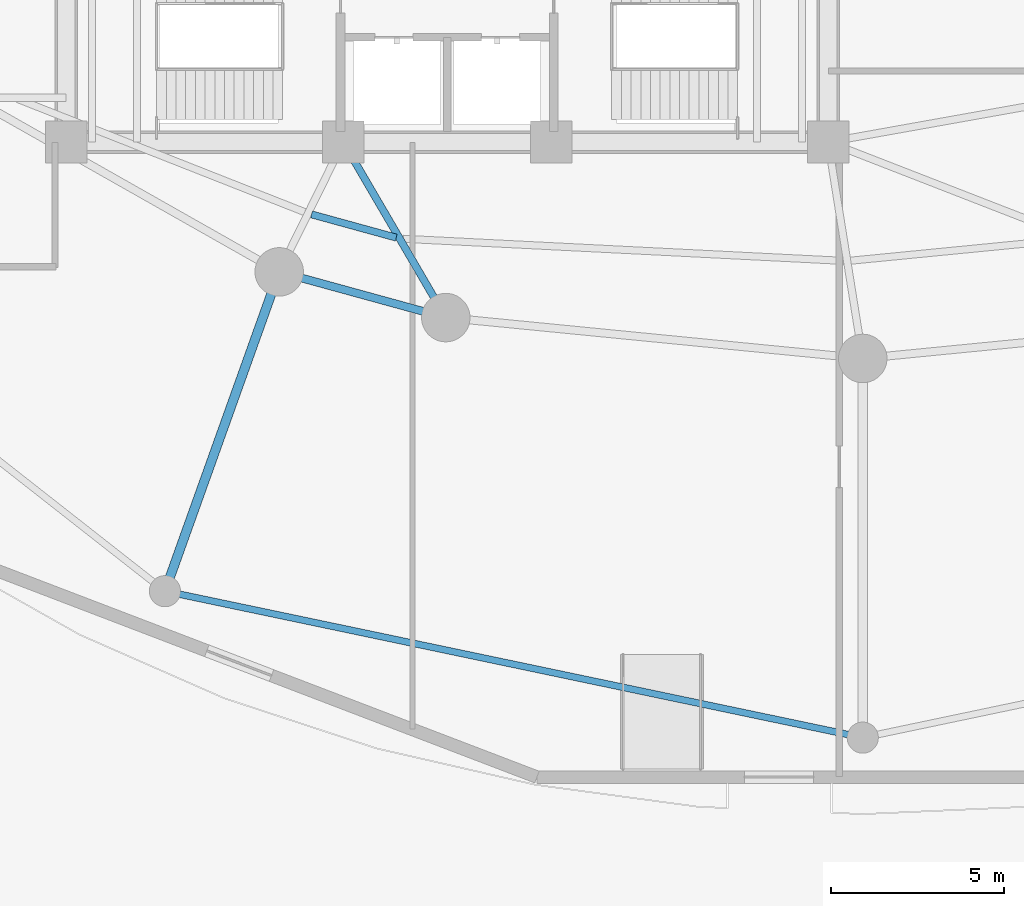
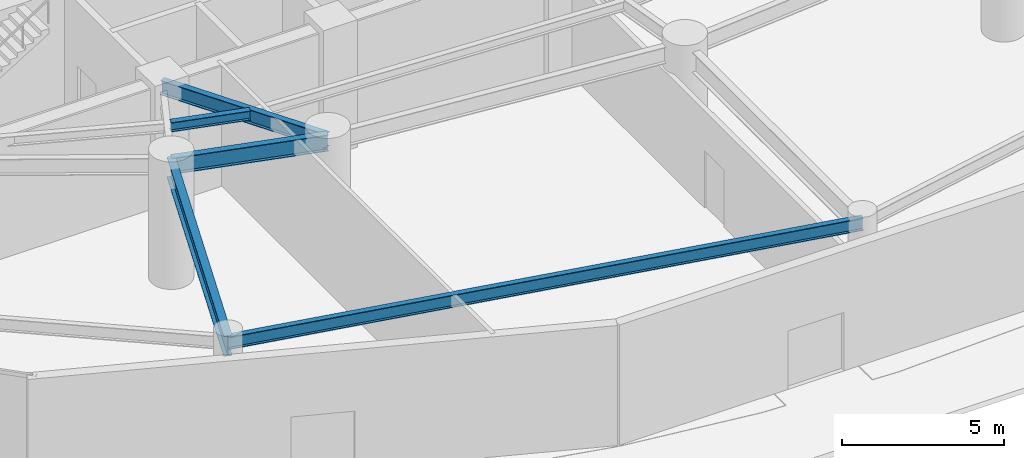
# One storey, part 3 of 35: 5 beams.
"""IFC4 building model written with IfcOpenShell, lengths in metres."""

from ifc_helpers import new_model, si_unit, direction, frame, origin, origin_2d, place, context, subcontext, project, spatial, i_section, extrude, material, material_profile, profile_set, type_object, element, save


model = new_model("IFC4")

# Units and contexts
model_context = context("Model", 3, precision=1e-05, world=origin(), true_north=direction((0.0, 1.0)))
body_context = subcontext(model_context, "Body", "Model", "MODEL_VIEW")
ifc_project = project(units=[si_unit("LENGTHUNIT", "METRE"), si_unit("AREAUNIT", "SQUARE_METRE"), si_unit("VOLUMEUNIT", "CUBIC_METRE"), si_unit("PLANEANGLEUNIT", "RADIAN"), si_unit("MASSUNIT", "GRAM", prefix="KILO")], contexts=[model_context])

# Site, building, storey
site_placement = place(None, origin())
site = spatial("IfcSite", under=ifc_project, at=site_placement, CompositionType="ELEMENT")
building_placement = place(site_placement, origin())
building = spatial("IfcBuilding", under=site, at=building_placement, Name="Kazevale Care Tower and Concert Hall", CompositionType="ELEMENT")
storey_placement = place(building_placement, origin())
storey = spatial("IfcBuildingStorey", under=building, at=storey_placement, Name="L00", CompositionType="ELEMENT", Elevation=0.0)

# Beams
ifc_material = material(Name="Steel ASTM A572 Gr 50", Category="steel")
ifc_material_profile_1 = material_profile(ifc_material, i_section(OverallWidth=0.194091796875, OverallDepth=0.468994140625, WebThickness=0.0126953125, FlangeThickness=0.0205078125, at=origin_2d()), Name="W460x106")
ifc_profile_set_1 = profile_set([ifc_material_profile_1], Name="Steel ASTM A572 Gr 50")
beam_type_1 = type_object("IfcBeamType", Name="Podium Floor Beam W460x106", PredefinedType="BEAM", material=ifc_profile_set_1)
beam_1_placement = place(storey_placement, frame((24.85009765625, 10.6298828125, 4.285400390625), z_axis=(0.978668137727, -0.205447502293, 0.0), x_axis=(0.205447502293, 0.978668137727, 0.0)))
element("IfcBeam", 1, at=beam_1_placement, inside=storey, type_object=beam_type_1, Name="beam:L00:podring:09", PredefinedType="BEAM", context=body_context, shape_type="SweptSolid", body=[
    extrude(i_section(OverallWidth=0.194091796875, OverallDepth=0.468994140625, WebThickness=0.0126953125, FlangeThickness=0.0205078125, at=origin_2d()), origin(), (0.0, 0.0, 1.0), 20.589111328125),
])
ifc_material_profile_2 = material_profile(ifc_material, i_section(OverallWidth=0.26806640625, OverallDepth=0.77001953125, WebThickness=0.015625, FlangeThickness=0.025390625, at=origin_2d()), Name="W760x196")
ifc_profile_set_2 = profile_set([ifc_material_profile_2], Name="Steel ASTM A572 Gr 50")
beam_type_2 = type_object("IfcBeamType", Name="Podium Primary Girder W760x196", PredefinedType="BEAM", material=ifc_profile_set_2)
beam_2_placement = place(storey_placement, frame((28.14990234375, 19.85009765625, 4.135009765625), z_axis=(-0.336958566987, -0.941519476237, 0.0), x_axis=(0.941519476237, -0.336958566987, 0.0)))
element("IfcBeam", 2, at=beam_2_placement, inside=storey, type_object=beam_type_2, Name="beam:L00:podrad:09", PredefinedType="BEAM", context=body_context, shape_type="SweptSolid", body=[
    extrude(i_section(OverallWidth=0.26806640625, OverallDepth=0.77001953125, WebThickness=0.015625, FlangeThickness=0.025390625, at=origin_2d()), origin(), (0.0, 0.0, 1.0), 9.79296875),
])
ifc_material_profile_3 = material_profile(ifc_material, i_section(OverallWidth=0.2119140625, OverallDepth=0.5439453125, WebThickness=0.01318359375, FlangeThickness=0.021240234375, at=origin_2d()), Name="W530x123")
ifc_profile_set_3 = profile_set([ifc_material_profile_3], Name="Steel ASTM A572 Gr 50")
beam_type_3 = type_object("IfcBeamType", Name="Radial Floor Girder W530x123", PredefinedType="BEAM", material=ifc_profile_set_3)
beam_3_placement = place(storey_placement, frame((30.0, 23.60009765625, 4.248046875), z_axis=(0.50417868077, -0.86359936189, 0.0), x_axis=(0.86359936189, 0.50417868077, 0.0)))
element("IfcBeam", 3, at=beam_3_placement, inside=storey, type_object=beam_type_3, Name="beam:L00:rad:12", PredefinedType="BEAM", context=body_context, shape_type="SweptSolid", body=[
    extrude(i_section(OverallWidth=0.2119140625, OverallDepth=0.5439453125, WebThickness=0.01318359375, FlangeThickness=0.021240234375, at=origin_2d()), origin(), (0.0, 0.0, 1.0), 5.870849609375),
])
ifc_material_profile_4 = material_profile(ifc_material, i_section(OverallWidth=0.22900390625, OverallDepth=0.612060546875, WebThickness=0.011962890625, FlangeThickness=0.01953125, at=origin_2d()), Name="W610x125")
ifc_profile_set_4 = profile_set([ifc_material_profile_4], Name="Steel ASTM A572 Gr 50")
beam_type_4 = type_object("IfcBeamType", Name="Ring Spandrel Beam W610x125", PredefinedType="SPANDREL", material=ifc_profile_set_4)
beam_4_placement = place(storey_placement, frame((28.14990234375, 19.85009765625, 4.214111328125), z_axis=(0.964343540473, -0.264653615031, 0.0), x_axis=(0.264653615031, 0.964343540473, 0.0)))
element("IfcBeam", 4, at=beam_4_placement, inside=storey, type_object=beam_type_4, Name="beam:L00:ring:11", PredefinedType="SPANDREL", context=body_context, shape_type="SweptSolid", body=[
    extrude(i_section(OverallWidth=0.22900390625, OverallDepth=0.612060546875, WebThickness=0.011962890625, FlangeThickness=0.01953125, at=origin_2d()), origin(), (0.0, 0.0, 1.0), 4.98779296875),
])
ifc_material_profile_5 = material_profile(ifc_material, i_section(OverallWidth=0.205078125, OverallDepth=0.35400390625, WebThickness=0.009521484375, FlangeThickness=0.016845703125, at=origin_2d()), Name="W360x79")
ifc_profile_set_5 = profile_set([ifc_material_profile_5], Name="Steel ASTM A572 Gr 50")
beam_type_5 = type_object("IfcBeamType", Name="Secondary Floor Joist W360x79", PredefinedType="JOIST", material=ifc_profile_set_5)
beam_5_placement = place(storey_placement, frame((29.083984375, 21.510009765625, 4.343017578125), z_axis=(0.964302027389, -0.264804833743, 0.0), x_axis=(0.264804833743, 0.964302027389, 0.0)))
element("IfcBeam", 5, at=beam_5_placement, inside=storey, type_object=beam_type_5, Name="beam:L00:joist:11", PredefinedType="JOIST", context=body_context, shape_type="SweptSolid", body=[
    extrude(i_section(OverallWidth=0.205078125, OverallDepth=0.35400390625, WebThickness=0.009521484375, FlangeThickness=0.016845703125, at=origin_2d()), origin(), (0.0, 0.0, 1.0), 2.533447265625),
])

save(model, "model.ifc")
